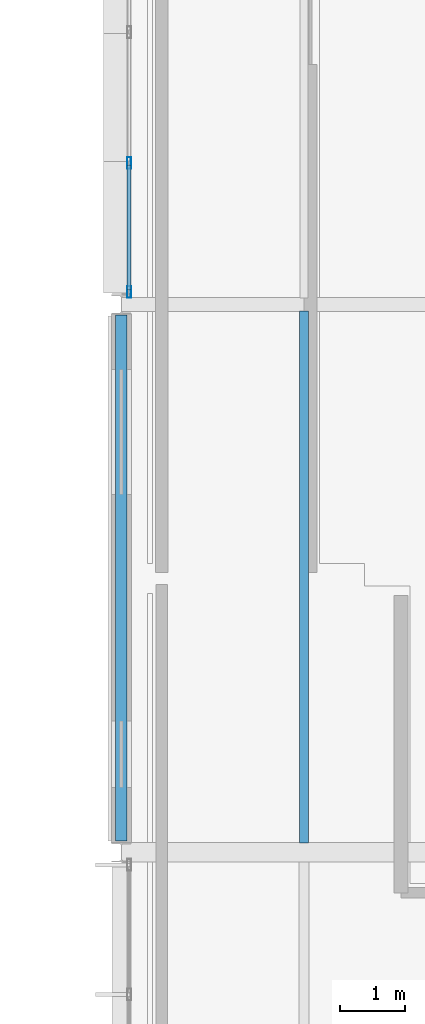
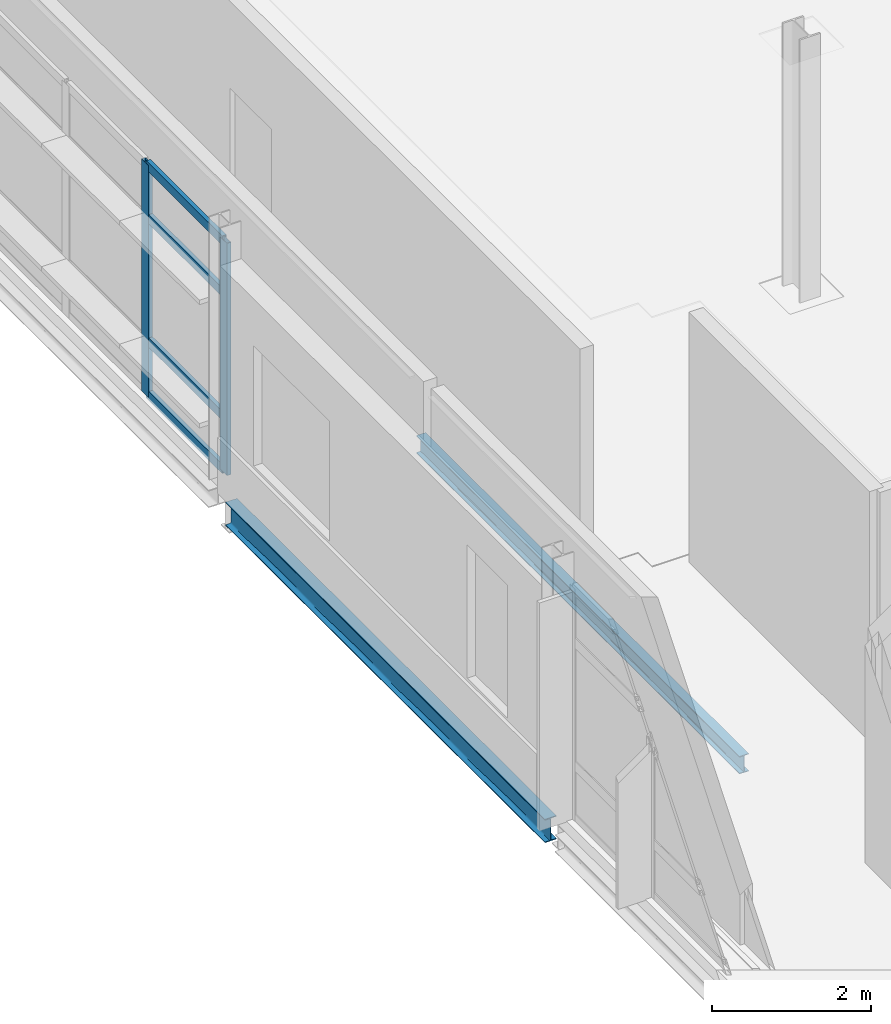
# One storey, part 42 of 103: 6 members, 2 beams, 1 element without a shape of its own.
"""IFC4 building model written with IfcOpenShell, lengths in metres."""

from ifc_helpers import new_model, si_unit, direction, frame, origin, origin_2d, place, context, subcontext, project, spatial, hollow_rectangle, i_section, extrude, material, material_profile, profile_set, type_object, element, aggregate, save


model = new_model("IFC4")

# Units and contexts
model_context = context("Model", 3, precision=1e-05, world=origin(), true_north=direction((0.0, 1.0)))
body_context = subcontext(model_context, "Body", "Model", "MODEL_VIEW")
ifc_project = project(units=[si_unit("LENGTHUNIT", "METRE"), si_unit("AREAUNIT", "SQUARE_METRE"), si_unit("VOLUMEUNIT", "CUBIC_METRE"), si_unit("PLANEANGLEUNIT", "RADIAN"), si_unit("MASSUNIT", "GRAM", prefix="KILO")], contexts=[model_context])

# Site, building, storey
site_placement = place(None, origin())
site = spatial("IfcSite", under=ifc_project, at=site_placement, CompositionType="ELEMENT")
building_placement = place(site_placement, origin())
building = spatial("IfcBuilding", under=site, at=building_placement, Name="Mersafa Astral City Hall", CompositionType="ELEMENT")
storey_placement = place(building_placement, frame((0.0, 0.0, 18.0)))
storey = spatial("IfcBuildingStorey", under=building, at=storey_placement, Name="L04", CompositionType="ELEMENT", Elevation=18.0)

# Curtain wall, members
ifc_material_1 = material(Name="Anodised bronze aluminium framing", Category="aluminium")
curtain_wall_type = type_object("IfcCurtainWallType", Name="ENV-CW-4", PredefinedType="USERDEFINED", material=ifc_material_1)
curtain_wall_placement = place(storey_placement, origin())
curtain_wall = element("IfcCurtainWall", 1, at=curtain_wall_placement, inside=storey, type_object=curtain_wall_type, Name="L04 Unitised solar curtain wall 207", ObjectType="UNITISED CURTAIN WALL", PredefinedType="USERDEFINED")
ifc_material_profile_1 = material_profile(ifc_material_1, hollow_rectangle(XDim=0.06005859375, YDim=0.179931640625, WallThickness=0.00390625, at=origin_2d()), Name="RHS 60x180x4")
ifc_profile_set_1 = profile_set([ifc_material_profile_1], Name="Anodised bronze aluminium framing")
member_type_1 = type_object("IfcMemberType", Name="ENV-CW-MUL-1", PredefinedType="MULLION", material=ifc_profile_set_1)
member_1_placement = place(storey_placement, frame((100.919921875, 111.368408203125, -0.001953125), z_axis=(0.0, 0.0, 1.0), x_axis=(1.0, 0.0, 0.0)))
member_1 = element("IfcMember", 2, at=member_1_placement, type_object=member_type_1, Name="CW-4 mullion 4", PredefinedType="MULLION", context=body_context, shape_type="SweptSolid", body=[
    extrude(hollow_rectangle(XDim=0.06005859375, YDim=0.179931640625, WallThickness=0.00390625, at=origin_2d()), origin(), (0.0, 0.0, 1.0), 3.578857421875),
])
member_2_placement = place(storey_placement, frame((100.919921875, 109.39208984375, -0.001953125), z_axis=(0.0, 0.0, 1.0), x_axis=(1.0, 0.0, 0.0)))
member_2 = element("IfcMember", 3, at=member_2_placement, type_object=member_type_1, Name="CW-4 mullion 5", PredefinedType="MULLION", context=body_context, shape_type="SweptSolid", body=[
    extrude(hollow_rectangle(XDim=0.06005859375, YDim=0.179931640625, WallThickness=0.00390625, at=origin_2d()), origin(), (0.0, 0.0, 1.0), 3.578857421875),
])
ifc_material_profile_2 = material_profile(ifc_material_1, hollow_rectangle(XDim=0.06005859375, YDim=0.139892578125, WallThickness=0.00390625, at=origin_2d()), Name="RHS 60x140x4")
ifc_profile_set_2 = profile_set([ifc_material_profile_2], Name="Anodised bronze aluminium framing")
member_type_2 = type_object("IfcMemberType", Name="ENV-CW-TRN-1", PredefinedType="USERDEFINED", material=ifc_profile_set_2)
member_3_placement = place(storey_placement, frame((100.919921875, 111.33837890625, 0.028076171875), z_axis=(0.0, -1.0, 0.0), x_axis=(1.0, 0.0, 0.0)))
member_3 = element("IfcMember", 4, at=member_3_placement, type_object=member_type_2, Name="CW-4 transom 4.1", ObjectType="TRANSOM", PredefinedType="USERDEFINED", context=body_context, shape_type="SweptSolid", body=[
    extrude(hollow_rectangle(XDim=0.06005859375, YDim=0.139892578125, WallThickness=0.00390625, at=origin_2d()), origin(), (0.0, 0.0, 1.0), 1.916259765625),
])
member_4_placement = place(storey_placement, frame((100.919921875, 111.33837890625, 0.85009765625), z_axis=(0.0, -1.0, 0.0), x_axis=(1.0, 0.0, 0.0)))
member_4 = element("IfcMember", 5, at=member_4_placement, type_object=member_type_2, Name="CW-4 transom 4.2", ObjectType="TRANSOM", PredefinedType="USERDEFINED", context=body_context, shape_type="SweptSolid", body=[
    extrude(hollow_rectangle(XDim=0.06005859375, YDim=0.139892578125, WallThickness=0.00390625, at=origin_2d()), origin(), (0.0, 0.0, 1.0), 1.916259765625),
])
member_5_placement = place(storey_placement, frame((100.919921875, 111.33837890625, 2.75), z_axis=(0.0, -1.0, 0.0), x_axis=(1.0, 0.0, 0.0)))
member_5 = element("IfcMember", 6, at=member_5_placement, type_object=member_type_2, Name="CW-4 transom 4.3", ObjectType="TRANSOM", PredefinedType="USERDEFINED", context=body_context, shape_type="SweptSolid", body=[
    extrude(hollow_rectangle(XDim=0.06005859375, YDim=0.139892578125, WallThickness=0.00390625, at=origin_2d()), origin(), (0.0, 0.0, 1.0), 1.916259765625),
])
member_6_placement = place(storey_placement, frame((100.919921875, 111.33837890625, 3.547119140625), z_axis=(0.0, -1.0, 0.0), x_axis=(1.0, 0.0, 0.0)))
member_6 = element("IfcMember", 7, at=member_6_placement, type_object=member_type_2, Name="CW-4 transom 4.4", ObjectType="TRANSOM", PredefinedType="USERDEFINED", context=body_context, shape_type="SweptSolid", body=[
    extrude(hollow_rectangle(XDim=0.06005859375, YDim=0.139892578125, WallThickness=0.00390625, at=origin_2d()), origin(), (0.0, 0.0, 1.0), 1.916259765625),
])
aggregate(curtain_wall, [member_1, member_2, member_3, member_4, member_5, member_6])

# Beams
ifc_material_2 = material(Name="Steel S355", Category="steel")
ifc_material_profile_3 = material_profile(ifc_material_2, i_section(OverallWidth=0.135009765625, OverallDepth=0.27001953125, WebThickness=0.006591796875, FlangeThickness=0.01025390625, FilletRadius=0.014892578125, at=origin_2d()), Name="IPE 270")
ifc_profile_set_3 = profile_set([ifc_material_profile_3], Name="Steel S355")
beam_type_1 = type_object("IfcBeamType", Name="STR-BM-JOIST-IPE270", PredefinedType="JOIST", material=ifc_profile_set_3)
beam_1_placement = place(storey_placement, frame((103.60009765625, 100.945068359375, -0.320068359375), z_axis=(0.0, 1.0, 0.0), x_axis=(-1.0, 0.0, 0.0)))
element("IfcBeam", 8, at=beam_1_placement, inside=storey, type_object=beam_type_1, Name="L04 Composite secondary floor joist 726", PredefinedType="JOIST", context=body_context, shape_type="SweptSolid", body=[
    extrude(i_section(OverallWidth=0.135009765625, OverallDepth=0.27001953125, WebThickness=0.006591796875, FlangeThickness=0.01025390625, FilletRadius=0.014892578125, at=origin_2d()), origin(), (0.0, 0.0, 1.0), 8.155029296875),
])
ifc_material_profile_4 = material_profile(ifc_material_2, i_section(OverallWidth=0.169921875, OverallDepth=0.360107421875, WebThickness=0.008056640625, FlangeThickness=0.0126953125, FilletRadius=0.01806640625, at=origin_2d()), Name="IPE 360")
ifc_profile_set_4 = profile_set([ifc_material_profile_4], Name="Steel S355")
beam_type_2 = type_object("IfcBeamType", Name="STR-BM-SPANDREL-IPE360", PredefinedType="SPANDREL", material=ifc_profile_set_4)
beam_2_placement = place(storey_placement, frame((100.800048828125, 100.97509765625, -0.364990234375), z_axis=(0.0, 1.0, 0.0), x_axis=(-1.0, 0.0, 0.0)))
element("IfcBeam", 9, at=beam_2_placement, inside=storey, type_object=beam_type_2, Name="L04 Primary girder Y 12-12", PredefinedType="SPANDREL", context=body_context, shape_type="SweptSolid", body=[
    extrude(i_section(OverallWidth=0.169921875, OverallDepth=0.360107421875, WebThickness=0.008056640625, FlangeThickness=0.0126953125, FilletRadius=0.01806640625, at=origin_2d()), origin(), (0.0, 0.0, 1.0), 8.059814453125),
])

save(model, "model.ifc")
